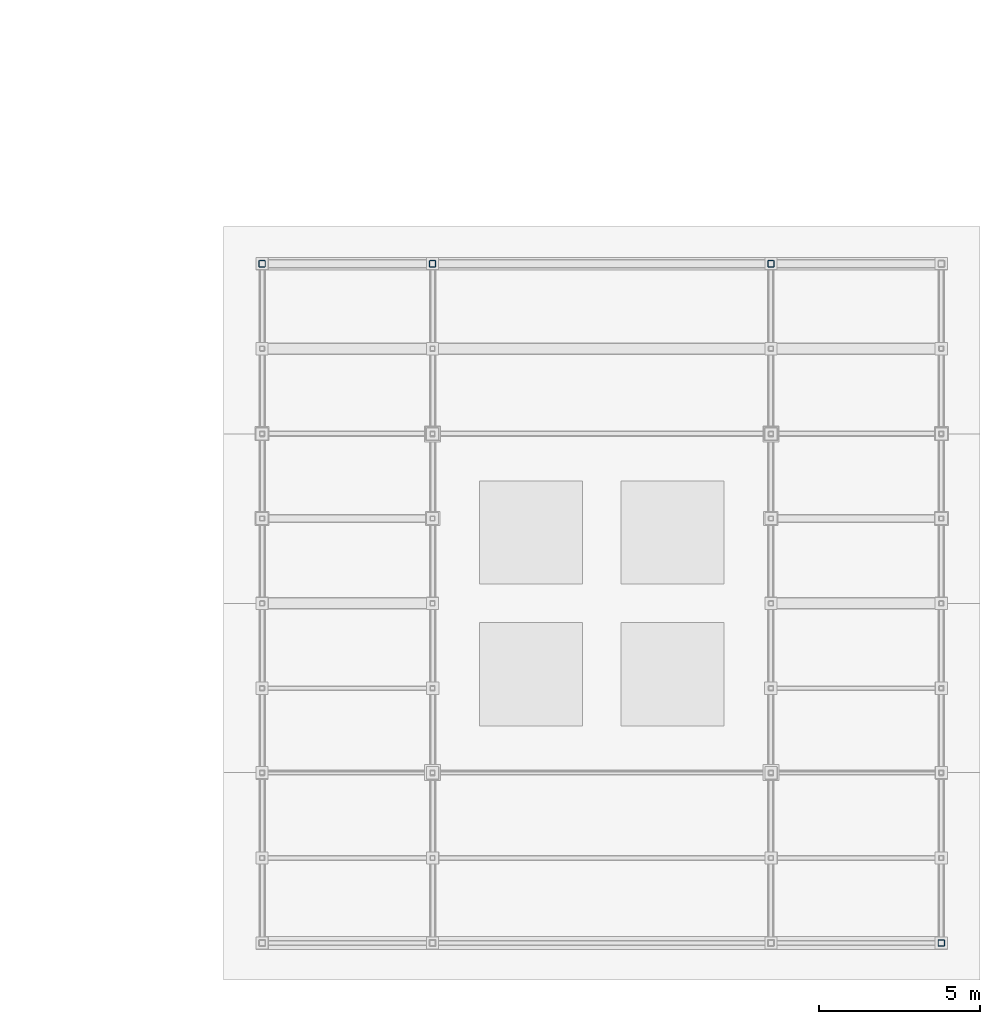
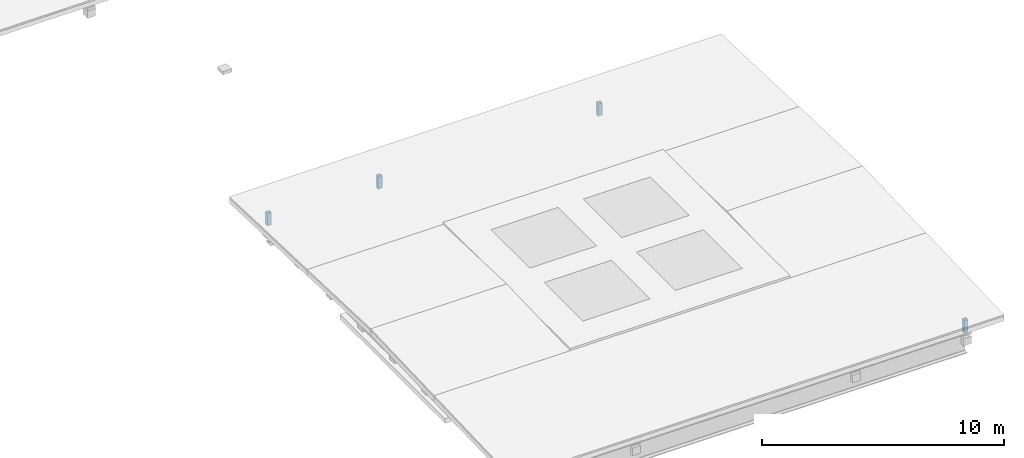
# One storey, part 18 of 25: 4 members.
"""IFC4 building model written with IfcOpenShell, lengths in metres."""

from ifc_helpers import new_model, si_unit, direction, frame, origin, origin_2d, place, context, subcontext, project, spatial, hollow_rectangle, extrude, material, material_profile, profile_set, type_object, element, save


model = new_model("IFC4")

# Units and contexts
model_context = context("Model", 3, precision=1e-05, world=origin(), true_north=direction((0.0, 1.0)))
body_context = subcontext(model_context, "Body", "Model", "MODEL_VIEW")
ifc_project = project(units=[si_unit("LENGTHUNIT", "METRE"), si_unit("AREAUNIT", "SQUARE_METRE"), si_unit("VOLUMEUNIT", "CUBIC_METRE"), si_unit("PLANEANGLEUNIT", "RADIAN"), si_unit("MASSUNIT", "GRAM", prefix="KILO"), si_unit("THERMODYNAMICTEMPERATUREUNIT", "KELVIN"), si_unit("POWERUNIT", "WATT")], contexts=[model_context])

# Site, building, storey
site_placement = place(None, origin())
site = spatial("IfcSite", under=ifc_project, at=site_placement, CompositionType="ELEMENT")
building_placement = place(site_placement, origin())
building = spatial("IfcBuilding", under=site, at=building_placement, Name="Zelmaris Science Centre", CompositionType="ELEMENT")
storey_placement = place(building_placement, frame((0.0, 0.0, 30.0)))
storey = spatial("IfcBuildingStorey", under=building, at=storey_placement, Name="RF", CompositionType="ELEMENT", Elevation=30.0)

# Members
ifc_material = material(Name="Steel ASTM A500 Grade C", Category="steel")
ifc_material_profile = material_profile(ifc_material, hollow_rectangle(XDim=0.203125, YDim=0.203125, WallThickness=0.01171875, InnerFilletRadius=0.01171875, OuterFilletRadius=0.023681640625, at=origin_2d()), Name="HSS203X203X13")
ifc_profile_set = profile_set([ifc_material_profile], Name="Steel ASTM A500 Grade C")
member_type = type_object("IfcMemberType", Name="Structural Brace BR-02 HSS203X203X13", PredefinedType="BRACE", material=ifc_profile_set)
for number, where, z_axis, x_axis, name in (
    (1, (70.464111328125, 46.535888671875, 0.72998046875), (0.0, 0.0, 1.0), (1.0, 0.0, 0.0), "RF-V2 Roof truss 1 end post VN"),
    (2, (75.75, 46.535888671875, 0.72998046875), (0.0, 0.0, 1.0), (1.0, 0.0, 0.0), "RF-V2 Roof truss 2 end post VN"),
    (3, (86.25, 46.535888671875, 0.72998046875), (0.0, 0.0, 1.0), (1.0, 0.0, 0.0), "RF-V2 Roof truss 3 end post VN"),
    (4, (91.535888671875, 25.464111328125, 0.72998046875), (0.0, 0.0, 1.0), (1.0, 0.0, 0.0), "RF-V2 Roof truss 4 end post VS"),
):
    element("IfcMember", number, at=place(storey_placement, frame(where, z_axis=z_axis, x_axis=x_axis)), inside=storey, type_object=member_type, Name=name, PredefinedType="BRACE", context=body_context, shape_type="SweptSolid", body=[
        extrude(hollow_rectangle(XDim=0.203125, YDim=0.203125, WallThickness=0.01171875, InnerFilletRadius=0.01171875, OuterFilletRadius=0.023681640625, at=origin_2d()), origin(), (0.0, 0.0, 1.0), 0.6181640625),
    ])

save(model, "model.ifc")
